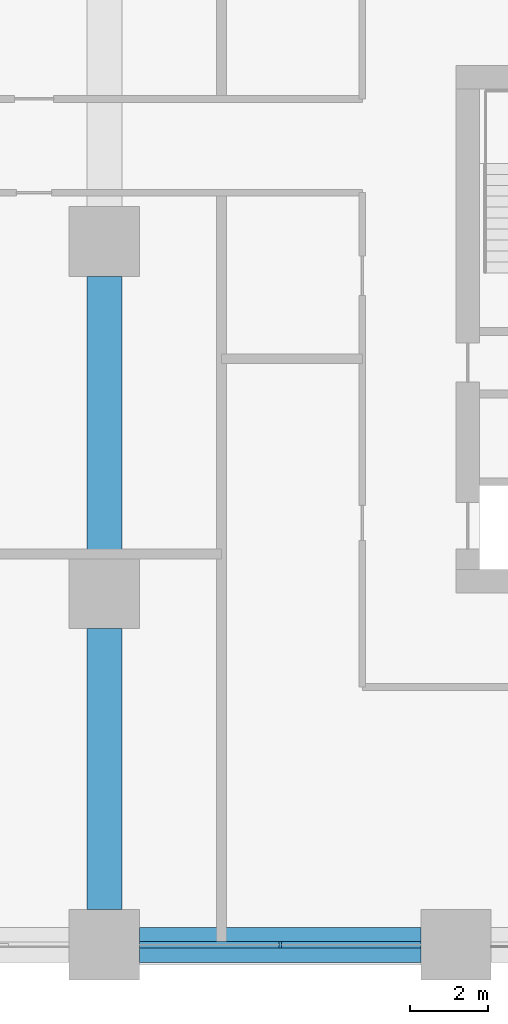
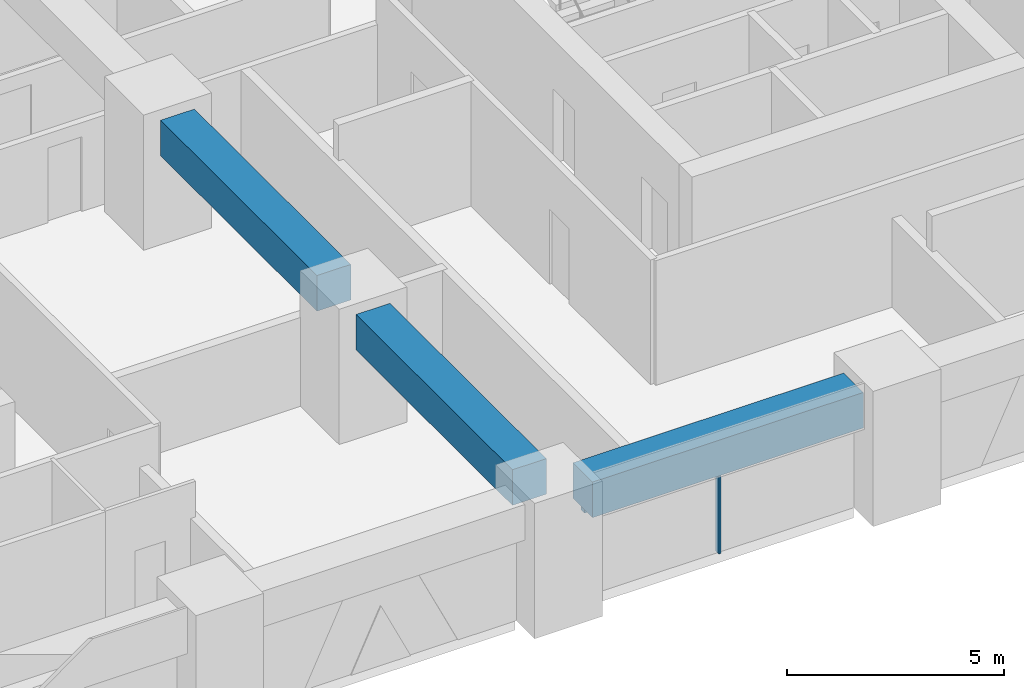
# One storey, part 3 of 21: 3 beams, 2 members, 1 element without a shape of its own.
"""IFC4 building model written with IfcOpenShell, lengths in metres."""

from ifc_helpers import new_model, si_unit, direction, frame, origin, origin_2d, place, context, subcontext, project, spatial, rectangle, extrude, material, material_profile, profile_set, type_object, element, aggregate, save


model = new_model("IFC4")

# Units and contexts
model_context = context("Model", 3, precision=1e-05, world=origin(), true_north=direction((0.0, 1.0)))
body_context = subcontext(model_context, "Body", "Model", "MODEL_VIEW")
ifc_project = project(units=[si_unit("LENGTHUNIT", "METRE"), si_unit("AREAUNIT", "SQUARE_METRE"), si_unit("VOLUMEUNIT", "CUBIC_METRE"), si_unit("PLANEANGLEUNIT", "RADIAN"), si_unit("MASSUNIT", "GRAM", prefix="KILO")], contexts=[model_context])

# Site, building, storey
site_placement = place(None, origin())
site = spatial("IfcSite", under=ifc_project, at=site_placement, CompositionType="ELEMENT")
building_placement = place(site_placement, origin())
building = spatial("IfcBuilding", under=site, at=building_placement, Name="Tessera Arch", CompositionType="ELEMENT")
storey_placement = place(building_placement, frame((0.0, 0.0, 50.0)))
storey = spatial("IfcBuildingStorey", under=building, at=storey_placement, Name="L10", CompositionType="ELEMENT", Elevation=50.0)

# Curtain wall, members
ifc_material_1 = material(Name="CW1 curtain wall")
curtain_wall_type = type_object("IfcCurtainWallType", Name="CW1 curtain wall", PredefinedType="NOTDEFINED", material=ifc_material_1)
curtain_wall_placement = place(storey_placement, origin())
curtain_wall = element("IfcCurtainWall", 1, at=curtain_wall_placement, inside=storey, type_object=curtain_wall_type, Name="CW1 curtain wall S0.0/2 L10", PredefinedType="NOTDEFINED")
ifc_material_2 = material(Name="Anodised aluminium pale metal", Category="aluminium")
ifc_material_profile_1 = material_profile(ifc_material_2, rectangle(XDim=0.159912109375, YDim=0.06005859375, at=origin_2d()), Name="AL 60x160")
ifc_profile_set_1 = profile_set([ifc_material_profile_1], Name="Anodised aluminium pale metal")
member_type_1 = type_object("IfcMemberType", Name="CW1 mullion", PredefinedType="MULLION", material=ifc_profile_set_1)
member_1_placement = place(storey_placement, frame((31.5, 0.0, 0.0), z_axis=(0.0, 0.0, 1.0), x_axis=(0.0, 1.0, 0.0)))
member_1 = element("IfcMember", 2, at=member_1_placement, type_object=member_type_1, Name="CW1 mullion S0.0/2 1", PredefinedType="MULLION", context=body_context, shape_type="SweptSolid", body=[
    extrude(rectangle(XDim=0.159912109375, YDim=0.06005859375, at=origin_2d()), origin(), (0.0, 0.0, 1.0), 2.39990234375),
])
ifc_material_3 = material(Name="Anodised aluminium pale metal", Category="aluminium")
ifc_material_profile_2 = material_profile(ifc_material_3, rectangle(XDim=0.159912109375, YDim=0.10009765625, at=origin_2d()), Name="AL 160x100")
ifc_profile_set_2 = profile_set([ifc_material_profile_2], Name="Anodised aluminium pale metal")
member_type_2 = type_object("IfcMemberType", Name="CW1 transom", PredefinedType="USERDEFINED", material=ifc_profile_set_2)
member_2_placement = place(storey_placement, frame((27.89990234375, 0.0, 2.449951171875), z_axis=(1.0, 0.0, 0.0), x_axis=(0.0, 1.0, 0.0)))
member_2 = element("IfcMember", 3, at=member_2_placement, type_object=member_type_2, Name="CW1 transom S0.0/2 1.1", ObjectType="TRANSOM", PredefinedType="USERDEFINED", context=body_context, shape_type="SweptSolid", body=[
    extrude(rectangle(XDim=0.159912109375, YDim=0.10009765625, at=origin_2d()), origin(), (0.0, 0.0, 1.0), 7.2001953125),
])
aggregate(curtain_wall, [member_1, member_2])

# Beams
ifc_material_4 = material(Name="Concrete C80/95", Category="concrete")
ifc_material_profile_3 = material_profile(ifc_material_4, rectangle(XDim=0.89990234375, YDim=1.0, at=origin_2d()), Name="RC spandrel beam 900 x 1000 Concrete C80/95")
ifc_profile_set_3 = profile_set([ifc_material_profile_3], Name="Concrete C80/95")
beam_type = type_object("IfcBeamType", Name="RC spandrel beam 900 x 1000 Concrete C80/95", PredefinedType="BEAM", material=ifc_profile_set_3)
for number, where, z_axis, x_axis, name in (
    (4, (27.89990234375, 0.0, 3.0), (1.0, 0.0, 0.0), (0.0, 1.0, 0.0), "Spandrel beam L10 S0.0/2"),
    (5, (27.0, 0.89990234375, 3.0), (0.0, 1.0, 0.0), (-1.0, 0.0, 0.0), "Interface beam L10 I0C4A-C4B"),
    (6, (27.0, 9.89990234375, 3.0), (0.0, 1.0, 0.0), (-1.0, 0.0, 0.0), "Interface beam L10 I0C4B-C4C"),
):
    element("IfcBeam", number, at=place(storey_placement, frame(where, z_axis=z_axis, x_axis=x_axis)), inside=storey, type_object=beam_type, Name=name, PredefinedType="BEAM", context=body_context, shape_type="SweptSolid", body=[
        extrude(rectangle(XDim=0.89990234375, YDim=1.0, at=origin_2d()), origin(), (0.0, 0.0, 1.0), 7.2001953125),
    ])

save(model, "model.ifc")
